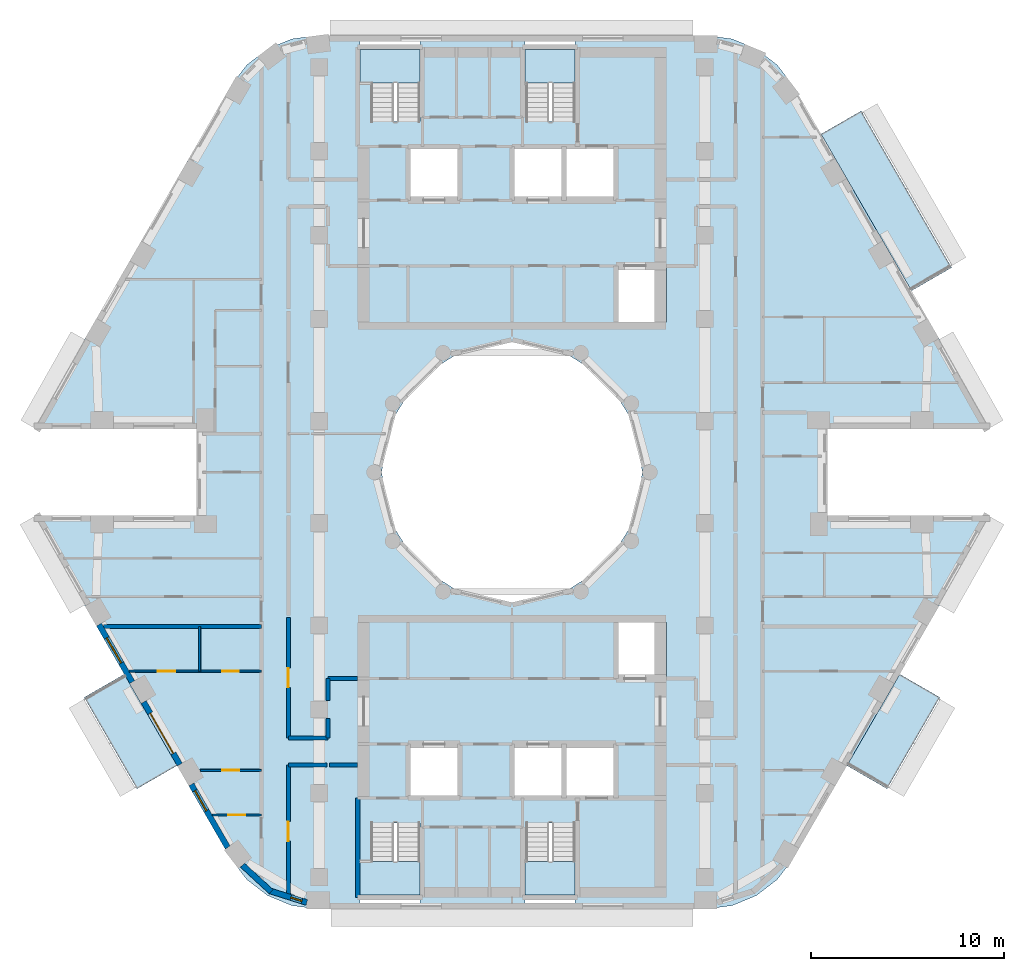
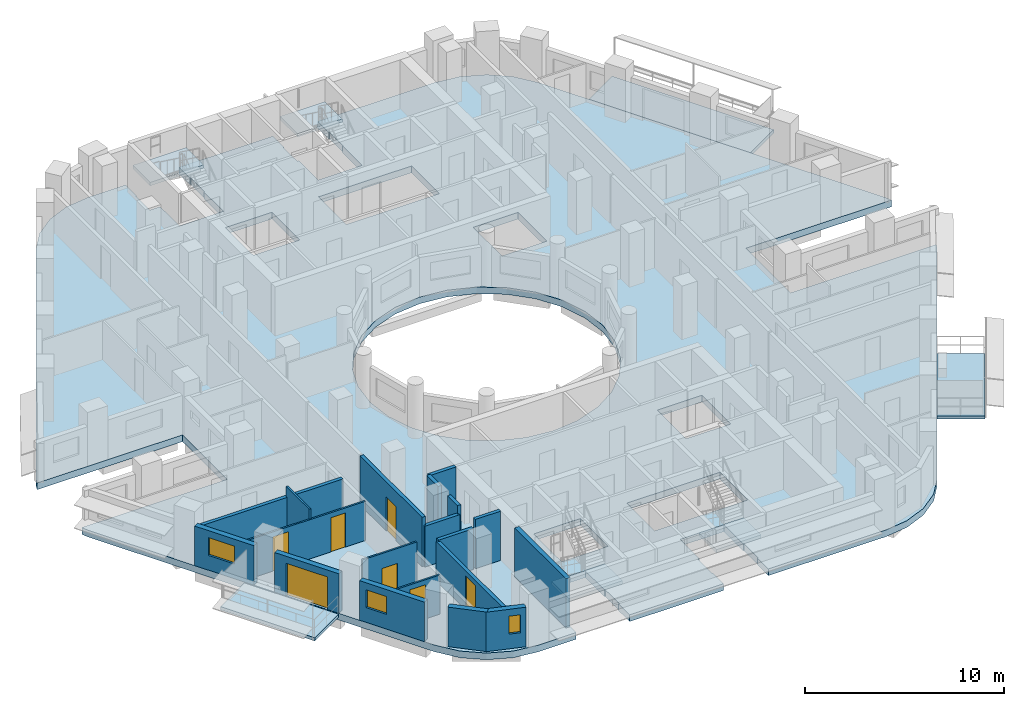
# One storey, part 2 of 18: 19 walls, 8 slabs, 7 doors, 3 windows, 10 openings, 4 elements without a shape of their own.
"""IFC4 building model written with IfcOpenShell, lengths in metres."""

from ifc_helpers import new_model, si_unit, direction, frame, frame_2d, origin, place, context, subcontext, project, spatial, polyline, rectangle, outline, extrude, material, layer, layer_set, type_object, element, fill, aggregate, save


model = new_model("IFC4")

# Units and contexts
model_context = context("Model", 3, precision=1e-05, world=origin(), true_north=direction((0.0, 1.0)))
body_context = subcontext(model_context, "Body", "Model", "MODEL_VIEW")
ifc_project = project(units=[si_unit("LENGTHUNIT", "METRE"), si_unit("AREAUNIT", "SQUARE_METRE"), si_unit("VOLUMEUNIT", "CUBIC_METRE"), si_unit("PLANEANGLEUNIT", "RADIAN"), si_unit("MASSUNIT", "GRAM", prefix="KILO")], contexts=[model_context])

# Site, building, storey
site_placement = place(None, origin())
site = spatial("IfcSite", under=ifc_project, at=site_placement, CompositionType="ELEMENT")
building_placement = place(site_placement, origin())
building = spatial("IfcBuilding", under=site, at=building_placement, Name="Nakaniwa Court", CompositionType="ELEMENT")
storey_placement = place(building_placement, frame((0.0, 0.0, 176.699951171875)))
storey = spatial("IfcBuildingStorey", under=building, at=storey_placement, Name="L45", CompositionType="ELEMENT", Elevation=176.699951171875)

# Slabs
ifc_material_1 = material(Name="Charcoal ceramic paver")
ifc_layer_1 = layer(ifc_material_1, 0.02, Name="Ceramic paver")
ifc_material_2 = material(Name="Cement sand screed")
ifc_layer_2 = layer(ifc_material_2, 0.03, Name="Falls screed")
ifc_material_3 = material(Name="Concrete C40/50", Category="concrete")
ifc_layer_3 = layer(ifc_material_3, 0.15, Name="Balcony slab")
ifc_layer_set_1 = layer_set([ifc_layer_1, ifc_layer_2, ifc_layer_3], Name="Concrete C40/50 balcony slab with ceramic paver finish")
slab_type_1 = type_object("IfcSlabType", Name="Balcony slab 200", PredefinedType="FLOOR", material=ifc_layer_set_1)
slab_1_placement = place(storey_placement, frame((0.0, 0.0, -0.25)))
element("IfcSlab", 1, at=slab_1_placement, inside=storey, type_object=slab_type_1, Name="L45 balcony 01", PredefinedType="FLOOR", context=body_context, shape_type="SweptSolid", body=[
    extrude(outline(polyline([(59.893798828125, 69.52490234375), (62.629150390625, 64.787353515625), (60.55078125, 63.58740234375), (57.815185546875, 68.324951171875), (59.893798828125, 69.52490234375)])), origin(), (0.0, 0.0, 1.0), 0.199951171875),
])
slab_2_placement = place(storey_placement, frame((0.0, 0.0, -0.25)))
element("IfcSlab", 2, at=slab_2_placement, inside=storey, type_object=slab_type_1, Name="L45 balcony 02", PredefinedType="FLOOR", context=body_context, shape_type="SweptSolid", body=[
    extrude(outline(polyline([(97.37109375, 64.787353515625), (100.106201171875, 69.52490234375), (102.184814453125, 68.324951171875), (99.449462890625, 63.58740234375), (97.37109375, 64.787353515625)])), origin(), (0.0, 0.0, 1.0), 0.199951171875),
])
slab_3_placement = place(storey_placement, frame((0.0, 0.0, -0.25)))
element("IfcSlab", 3, at=slab_3_placement, inside=storey, type_object=slab_type_1, Name="L45 balcony 03", PredefinedType="FLOOR", context=body_context, shape_type="SweptSolid", body=[
    extrude(outline(polyline([(100.71923828125, 89.41357421875), (96.02978515625, 97.53564453125), (98.108154296875, 98.735595703125), (102.797607421875, 90.613525390625), (100.71923828125, 89.41357421875)])), origin(), (0.0, 0.0, 1.0), 0.199951171875),
])
ifc_material_4 = material(Name="Concrete C80/100", Category="concrete")
ifc_layer_4 = layer(ifc_material_4, 0.409912109375)
ifc_layer_set_2 = layer_set([ifc_layer_4], Name="Concrete C80/100")
slab_type_2 = type_object("IfcSlabType", Name="Concrete C80/100 post tensioned floor slab 410", PredefinedType="FLOOR", material=ifc_layer_set_2)
slab_4_placement = place(storey_placement, frame((0.0, 0.0, -0.409912109375)))
element("IfcSlab", 4, at=slab_4_placement, inside=storey, type_object=slab_type_2, Name="FLOOR SLAB", PredefinedType="FLOOR", context=body_context, shape_type="SweptSolid", body=[
    extrude(outline(polyline([(80.675048828125, 58.4599609375), (80.635009765625, 58.4599609375), (80.635009765625, 59.864990234375), (80.72509765625, 59.864990234375), (80.72509765625, 61.81005859375), (83.27490234375, 61.81005859375), (83.27490234375, 59.864990234375), (83.31494140625, 59.864990234375), (83.31494140625, 58.4599609375), (83.27490234375, 58.4599609375), (83.27490234375, 57.35009765625), (90.07470703125, 57.35009765625), (91.420654296875, 57.527099609375), (92.6748046875, 58.046630859375), (93.751708984375, 58.873046875), (94.578125, 59.949951171875), (104.65283203125, 77.39990234375), (104.7978515625, 77.75), (96.349609375, 77.75), (96.349609375, 82.25), (104.7978515625, 82.25), (104.65283203125, 82.60009765625), (94.578125, 100.050048828125), (93.751708984375, 101.126953125), (92.6748046875, 101.953369140625), (91.420654296875, 102.472900390625), (90.07470703125, 102.64990234375), (83.27490234375, 102.64990234375), (83.27490234375, 101.5400390625), (83.31494140625, 101.5400390625), (83.31494140625, 100.135009765625), (83.27490234375, 100.135009765625), (83.27490234375, 98.18994140625), (80.72509765625, 98.18994140625), (80.72509765625, 100.135009765625), (80.635009765625, 100.135009765625), (80.635009765625, 101.5400390625), (80.675048828125, 101.5400390625), (80.675048828125, 102.64990234375), (75.22509765625, 102.64990234375), (75.22509765625, 101.5400390625), (75.264892578125, 101.5400390625), (75.264892578125, 100.135009765625), (75.22509765625, 100.135009765625), (75.22509765625, 98.18994140625), (72.675048828125, 98.18994140625), (72.675048828125, 100.135009765625), (72.0849609375, 100.135009765625), (72.0849609375, 101.5400390625), (72.125, 101.5400390625), (72.125, 102.64990234375), (69.92529296875, 102.64990234375), (68.579345703125, 102.472900390625), (67.3251953125, 101.953369140625), (66.248291015625, 101.126953125), (65.421875, 100.050048828125), (55.34716796875, 82.60009765625), (55.2021484375, 82.25), (63.650390625, 82.25), (63.650390625, 77.75), (55.2021484375, 77.75), (55.34716796875, 77.39990234375), (65.421875, 59.949951171875), (66.248291015625, 58.873046875), (67.3251953125, 58.046630859375), (68.579345703125, 57.527099609375), (69.92529296875, 57.35009765625), (72.125, 57.35009765625), (72.125, 58.4599609375), (72.0849609375, 58.4599609375), (72.0849609375, 59.864990234375), (72.675048828125, 59.864990234375), (72.675048828125, 61.81005859375), (75.22509765625, 61.81005859375), (75.22509765625, 59.864990234375), (75.264892578125, 59.864990234375), (75.264892578125, 58.4599609375), (75.22509765625, 58.4599609375), (75.22509765625, 57.35009765625), (80.675048828125, 57.35009765625), (80.675048828125, 58.4599609375)]), holes=[polyline([(81.501953125, 86.580810546875), (80.0, 86.75), (78.498046875, 86.580810546875), (77.0712890625, 86.08154296875), (75.79150390625, 85.27734375), (74.72265625, 84.20849609375), (73.91845703125, 82.9287109375), (73.419189453125, 81.501953125), (73.25, 80.0), (73.419189453125, 78.498046875), (73.91845703125, 77.0712890625), (74.72265625, 75.79150390625), (75.79150390625, 74.72265625), (77.0712890625, 73.91845703125), (78.498046875, 73.419189453125), (80.0, 73.25), (81.501953125, 73.419189453125), (82.9287109375, 73.91845703125), (84.20849609375, 74.72265625), (85.27734375, 75.79150390625), (86.08154296875, 77.0712890625), (86.580810546875, 78.498046875), (86.75, 80.0), (86.580810546875, 81.501953125), (86.08154296875, 82.9287109375), (85.27734375, 84.20849609375), (84.20849609375, 85.27734375), (82.9287109375, 86.08154296875), (81.501953125, 86.580810546875)]), polyline([(77.300048828125, 65.89990234375), (74.60009765625, 65.89990234375), (74.60009765625, 63.10009765625), (77.300048828125, 63.10009765625), (77.300048828125, 65.89990234375)]), polyline([(80.0, 65.89990234375), (80.0, 63.10009765625), (82.699951171875, 63.10009765625), (85.39990234375, 63.10009765625), (85.39990234375, 65.89990234375), (82.699951171875, 65.89990234375), (80.0, 65.89990234375)]), polyline([(77.300048828125, 96.89990234375), (74.60009765625, 96.89990234375), (74.60009765625, 94.10009765625), (77.300048828125, 94.10009765625), (77.300048828125, 96.89990234375)]), polyline([(80.0, 96.89990234375), (80.0, 94.10009765625), (82.699951171875, 94.10009765625), (85.39990234375, 94.10009765625), (85.39990234375, 96.89990234375), (82.699951171875, 96.89990234375), (80.0, 96.89990234375)]), polyline([(88.0, 72.199951171875), (85.39990234375, 72.199951171875), (85.39990234375, 69.300048828125), (88.0, 69.300048828125), (88.0, 72.199951171875)]), polyline([(88.0, 90.699951171875), (85.39990234375, 90.699951171875), (85.39990234375, 87.800048828125), (88.0, 87.800048828125), (88.0, 90.699951171875)])]), origin(), (0.0, 0.0, 1.0), 0.409912109375),
])

# Stair, slab
stair_type = type_object("IfcStairType", Name="Dog leg stair 1200 wide 18 risers", PredefinedType="HALF_TURN_STAIR", material=ifc_material_4)
stair_1_placement = place(storey_placement, origin())
stair_1 = element("IfcStair", 5, at=stair_1_placement, inside=storey, type_object=stair_type, Name="L45 Stair ST1", PredefinedType="HALF_TURN_STAIR")
ifc_layer_5 = layer(ifc_material_4, 0.199951171875)
ifc_layer_set_3 = layer_set([ifc_layer_5], Name="Concrete C80/100")
slab_type_3 = type_object("IfcSlabType", Name="Stair landing concrete", PredefinedType="LANDING", material=ifc_layer_set_3)
slab_5_placement = place(storey_placement, frame((0.0, 0.0, 1.449951171875)))
slab_5 = element("IfcSlab", 6, at=slab_5_placement, type_object=slab_type_3, Name="ST1 landing 1", PredefinedType="LANDING", context=body_context, shape_type="SweptSolid", body=[
    extrude(outline(polyline([(75.22509765625, 100.175048828125), (75.22509765625, 101.925048828125), (72.125, 101.925048828125), (72.125, 100.175048828125), (75.22509765625, 100.175048828125)])), origin(), (0.0, 0.0, 1.0), 0.2001953125),
])
aggregate(stair_1, [slab_5])

stair_2_placement = place(storey_placement, origin())
stair_2 = element("IfcStair", 7, at=stair_2_placement, inside=storey, type_object=stair_type, Name="L45 Stair ST2", PredefinedType="HALF_TURN_STAIR")
slab_6_placement = place(storey_placement, frame((0.0, 0.0, 1.449951171875)))
slab_6 = element("IfcSlab", 8, at=slab_6_placement, type_object=slab_type_3, Name="ST2 landing 1", PredefinedType="LANDING", context=body_context, shape_type="SweptSolid", body=[
    extrude(outline(polyline([(83.27490234375, 100.175048828125), (83.27490234375, 101.925048828125), (80.675048828125, 101.925048828125), (80.675048828125, 100.175048828125), (83.27490234375, 100.175048828125)])), origin(), (0.0, 0.0, 1.0), 0.2001953125),
])
aggregate(stair_2, [slab_6])

stair_3_placement = place(storey_placement, origin())
stair_3 = element("IfcStair", 9, at=stair_3_placement, inside=storey, type_object=stair_type, Name="L45 Stair ST3", PredefinedType="HALF_TURN_STAIR")
slab_7_placement = place(storey_placement, frame((0.0, 0.0, 1.449951171875)))
slab_7 = element("IfcSlab", 10, at=slab_7_placement, type_object=slab_type_3, Name="ST3 landing 1", PredefinedType="LANDING", context=body_context, shape_type="SweptSolid", body=[
    extrude(outline(polyline([(75.22509765625, 58.074951171875), (75.22509765625, 59.824951171875), (72.125, 59.824951171875), (72.125, 58.074951171875), (75.22509765625, 58.074951171875)])), origin(), (0.0, 0.0, 1.0), 0.2001953125),
])
aggregate(stair_3, [slab_7])

stair_4_placement = place(storey_placement, origin())
stair_4 = element("IfcStair", 11, at=stair_4_placement, inside=storey, type_object=stair_type, Name="L45 Stair ST4", PredefinedType="HALF_TURN_STAIR")
slab_8_placement = place(storey_placement, frame((0.0, 0.0, 1.449951171875)))
slab_8 = element("IfcSlab", 12, at=slab_8_placement, type_object=slab_type_3, Name="ST4 landing 1", PredefinedType="LANDING", context=body_context, shape_type="SweptSolid", body=[
    extrude(outline(polyline([(83.27490234375, 58.074951171875), (83.27490234375, 59.824951171875), (80.675048828125, 59.824951171875), (80.675048828125, 58.074951171875), (83.27490234375, 58.074951171875)])), origin(), (0.0, 0.0, 1.0), 0.2001953125),
])
aggregate(stair_4, [slab_8])

# Walls
ifc_material_5 = material(Name="Acoustic double stud partition")
ifc_layer_6 = layer(ifc_material_5, 0.199951171875)
ifc_layer_set_4 = layer_set([ifc_layer_6], Name="Acoustic double stud partition")
wall_type_1 = type_object("IfcWallType", Name="Acoustic double stud partition 200", PredefinedType="PARTITIONING", material=ifc_layer_set_4)
wall_1_placement = place(storey_placement, frame((68.39990234375, 64.824951171875, 0.0), z_axis=(0.0, 0.0, 1.0), x_axis=(1.0, 0.0, 0.0)))
element("IfcWall", 13, at=wall_1_placement, inside=storey, type_object=wall_type_1, Name="Partition PW-077", PredefinedType="PARTITIONING", context=body_context, shape_type="SweptSolid", body=[
    extrude(rectangle(XDim=2.012939453125, YDim=0.199951171875, at=frame_2d((1.00634765625, 0.0))), origin(), (0.0, 0.0, 1.0), 2.505126953125),
])
wall_2_placement = place(storey_placement, frame((70.527099609375, 64.824951171875, 0.0), z_axis=(0.0, 0.0, 1.0), x_axis=(1.0, 0.0, 0.0)))
element("IfcWall", 14, at=wall_2_placement, inside=storey, type_object=wall_type_1, Name="Partition PW-078", PredefinedType="PARTITIONING", context=body_context, shape_type="SweptSolid", body=[
    extrude(rectangle(XDim=1.472900390625, YDim=0.199951171875, at=frame_2d((0.736328125, 0.0))), origin(), (0.0, 0.0, 1.0), 3.025146484375),
])
wall_3_placement = place(storey_placement, frame((70.449951171875, 69.300048828125, 0.0), z_axis=(0.0, 0.0, 1.0), x_axis=(1.0, 0.0, 0.0)))
element("IfcWall", 15, at=wall_3_placement, inside=storey, type_object=wall_type_1, Name="Partition PW-082", PredefinedType="PARTITIONING", context=body_context, shape_type="SweptSolid", body=[
    extrude(rectangle(XDim=1.550048828125, YDim=0.199951171875, at=frame_2d((0.77490234375, 0.0))), origin(), (0.0, 0.0, 1.0), 3.025146484375),
])
wall_4_placement = place(storey_placement, frame((68.39990234375, 66.22509765625, 0.0), z_axis=(0.0, 0.0, 1.0), x_axis=(1.0, 0.0, 0.0)))
element("IfcWall", 16, at=wall_4_placement, inside=storey, type_object=wall_type_1, Name="Partition PW-088", PredefinedType="PARTITIONING", context=body_context, shape_type="SweptSolid", body=[
    extrude(rectangle(XDim=2.050048828125, YDim=0.199951171875, at=frame_2d((1.02490234375, 0.0))), origin(), (0.0, 0.0, 1.0), 2.505126953125),
])

# Wall, opening, door
wall_5_placement = place(storey_placement, frame((68.39990234375, 64.824951171875, 0.0), z_axis=(0.0, 0.0, 1.0), x_axis=(0.0, -1.0, 0.0)))
wall_5 = element("IfcWall", 17, at=wall_5_placement, inside=storey, type_object=wall_type_1, Name="Partition PW-098", PredefinedType="PARTITIONING", context=body_context, shape_type="SweptSolid", body=[
    extrude(rectangle(XDim=6.898681640625, YDim=0.199951171875, at=frame_2d((3.44921875, 0.0))), origin(), (0.0, 0.0, 1.0), 2.405029296875),
])
opening_1_placement = place(wall_5_placement, frame((2.949951171875, 0.0, 0.0)))
opening_1 = element("IfcOpeningElement", 18, at=opening_1_placement, cuts=wall_5, Name="Opening D-02-04", PredefinedType="OPENING", context=body_context, shape_type="SweptSolid", body=[
    extrude(rectangle(XDim=1.0, YDim=2.10009765625, at=frame_2d((0.5, 1.050048828125))), frame((0.0, 0.10986328125, 0.0), z_axis=(0.0, -1.0, 0.0), x_axis=(1.0, 0.0, 0.0)), (0.0, 0.0, 1.0), 0.219970703125),
])
ifc_material_6 = material(Name="Solid core timber door set, black veneer", Category="wood")
door_type_1 = type_object("IfcDoorType", Name="Internal door 1000", OperationType="NOTDEFINED", PredefinedType="DOOR", material=ifc_material_6)
door_1_placement = place(opening_1_placement, origin())
door_1 = element("IfcDoor", 19, at=door_1_placement, inside=storey, type_object=door_type_1, Name="Door D-02-04 L45-044", OperationType="SINGLE_SWING_LEFT", OverallHeight=2.10009765625, OverallWidth=1.0, PredefinedType="DOOR", context=body_context, shape_type="SweptSolid", body=[
    extrude(rectangle(XDim=1.0, YDim=2.10009765625, at=frame_2d((0.5, 1.050048828125))), frame((0.0, 0.02490234375, 0.0), z_axis=(0.0, -1.0, 0.0), x_axis=(1.0, 0.0, 0.0)), (0.0, 0.0, 1.0), 0.050048828125),
])
fill(opening_1, door_1)

wall_6_placement = place(storey_placement, frame((68.39990234375, 72.462890625, 0.0), z_axis=(0.0, 0.0, 1.0), x_axis=(0.0, -1.0, 0.0)))
wall_6 = element("IfcWall", 20, at=wall_6_placement, inside=storey, type_object=wall_type_1, Name="Partition PW-099", PredefinedType="PARTITIONING", context=body_context, shape_type="SweptSolid", body=[
    extrude(rectangle(XDim=6.23779296875, YDim=0.199951171875, at=frame_2d((3.118896484375, 0.0))), origin(), (0.0, 0.0, 1.0), 3.025146484375),
])
opening_2_placement = place(wall_6_placement, frame((2.6201171875, 0.0, 0.0)))
opening_2 = element("IfcOpeningElement", 21, at=opening_2_placement, cuts=wall_6, Name="Opening D-02-05", PredefinedType="OPENING", context=body_context, shape_type="SweptSolid", body=[
    extrude(rectangle(XDim=1.0, YDim=2.10009765625, at=frame_2d((0.5, 1.050048828125))), frame((0.0, 0.10986328125, 0.0), z_axis=(0.0, -1.0, 0.0), x_axis=(1.0, 0.0, 0.0)), (0.0, 0.0, 1.0), 0.219970703125),
])
door_2_placement = place(opening_2_placement, origin())
door_2 = element("IfcDoor", 22, at=door_2_placement, inside=storey, type_object=door_type_1, Name="Door D-02-05 L45-050", OperationType="SINGLE_SWING_LEFT", OverallHeight=2.10009765625, OverallWidth=1.0, PredefinedType="DOOR", context=body_context, shape_type="SweptSolid", body=[
    extrude(rectangle(XDim=1.0, YDim=2.10009765625, at=frame_2d((0.5, 1.050048828125))), frame((0.0, 0.02490234375, 0.0), z_axis=(0.0, -1.0, 0.0), x_axis=(1.0, 0.0, 0.0)), (0.0, 0.0, 1.0), 0.050048828125),
])
fill(opening_2, door_2)

# Walls
wall_7_placement = place(storey_placement, frame((70.449951171875, 66.22509765625, 0.0), z_axis=(0.0, 0.0, 1.0), x_axis=(0.0, 1.0, 0.0)))
element("IfcWall", 23, at=wall_7_placement, inside=storey, type_object=wall_type_1, Name="Partition PW-105", PredefinedType="PARTITIONING", context=body_context, shape_type="SweptSolid", body=[
    extrude(rectangle(XDim=1.0078125, YDim=0.199951171875, at=frame_2d((0.50390625, 0.0))), origin(), (0.0, 0.0, 1.0), 3.025146484375),
])
wall_8_placement = place(storey_placement, frame((70.449951171875, 68.167236328125, 0.0), z_axis=(0.0, 0.0, 1.0), x_axis=(0.0, 1.0, 0.0)))
element("IfcWall", 24, at=wall_8_placement, inside=storey, type_object=wall_type_1, Name="Partition PW-106", PredefinedType="PARTITIONING", context=body_context, shape_type="SweptSolid", body=[
    extrude(rectangle(XDim=1.1328125, YDim=0.199951171875, at=frame_2d((0.56640625, 0.0))), origin(), (0.0, 0.0, 1.0), 3.025146484375),
])
wall_9_placement = place(storey_placement, frame((58.811279296875, 72.0, 0.0), z_axis=(0.0, 0.0, 1.0), x_axis=(1.0, 0.0, 0.0)))
element("IfcWall", 25, at=wall_9_placement, inside=storey, type_object=wall_type_1, Name="Partition PW-119", PredefinedType="PARTITIONING", context=body_context, shape_type="SweptSolid", body=[
    extrude(rectangle(XDim=8.187744140625, YDim=0.199951171875, at=frame_2d((4.09375, 0.0))), origin(), (0.0, 0.0, 1.0), 2.405029296875),
])

# Wall, opening, window
ifc_material_7 = material(Name="Charcoal ceramic cladding")
ifc_layer_7 = layer(ifc_material_7, 0.02, Name="Ceramic cladding")
ifc_material_8 = material(Name="Ventilated air cavity")
ifc_layer_8 = layer(ifc_material_8, 0.04, ventilated=True, Name="Ventilated cavity")
ifc_material_9 = material(Name="Mineral wool insulation")
ifc_layer_9 = layer(ifc_material_9, 0.1, Name="Insulation")
ifc_material_10 = material(Name="Cement bonded sheathing board")
ifc_layer_10 = layer(ifc_material_10, 0.012, Name="Sheathing")
ifc_material_11 = material(Name="Cold-formed galvanised stud frame with mineral wool infill")
ifc_layer_11 = layer(ifc_material_11, 0.1, Name="Stud frame")
ifc_material_12 = material(Name="Fire-rated gypsum plasterboard lining")
ifc_layer_12 = layer(ifc_material_12, 0.028, Name="Lining")
ifc_layer_set_5 = layer_set([ifc_layer_7, ifc_layer_8, ifc_layer_9, ifc_layer_10, ifc_layer_11, ifc_layer_12], Name="Charcoal ceramic faced external wall system")
wall_type_2 = type_object("IfcWallType", Name="Black ceramic faced external wall 300", PredefinedType="SOLIDWALL", material=ifc_layer_set_5)
wall_10_placement = place(storey_placement, frame((58.579345703125, 72.101806640625, 0.0), z_axis=(0.0, 0.0, 1.0), x_axis=(0.499955427682, -0.866051136095, 0.0)))
wall_10 = element("IfcWall", 26, at=wall_10_placement, inside=storey, type_object=wall_type_2, Name="L45 external wall 21", PredefinedType="SOLIDWALL", context=body_context, shape_type="SweptSolid", body=[
    extrude(rectangle(XDim=3.447021484375, YDim=0.300048828125, at=frame_2d((1.7236328125, 0.0))), origin(), (0.0, 0.0, 1.0), 2.425048828125),
])
opening_3_placement = place(wall_10_placement, frame((0.80224609375, 0.0, 0.89990234375)))
opening_3 = element("IfcOpeningElement", 27, at=opening_3_placement, cuts=wall_10, Name="Opening W5.23", PredefinedType="OPENING", context=body_context, shape_type="SweptSolid", body=[
    extrude(rectangle(XDim=1.5, YDim=1.10009765625, at=frame_2d((0.75, 0.550048828125))), frame((0.0, 0.159912109375, 0.0), z_axis=(0.0, -1.0, 0.0), x_axis=(1.0, 0.0, 0.0)), (0.0, 0.0, 1.0), 0.320068359375),
])
ifc_material_13 = material(Name="Black anodised aluminium frame with dark low-E laminated double glazing", Category="aluminium")
window_type_1 = type_object("IfcWindowType", Name="Dark glass window 1500x1100 sill 900", PartitioningType="SINGLE_PANEL", PredefinedType="WINDOW", material=ifc_material_13)
window_1_placement = place(opening_3_placement, origin())
window_1 = element("IfcWindow", 28, at=window_1_placement, inside=storey, type_object=window_type_1, Name="L45 habitable room window 21-1", OverallHeight=1.10009765625, OverallWidth=1.5, PartitioningType="SINGLE_PANEL", PredefinedType="WINDOW", context=body_context, shape_type="SweptSolid", body=[
    extrude(rectangle(XDim=1.5, YDim=1.10009765625, at=frame_2d((0.75, 0.550048828125))), frame((0.0, 0.030029296875, 0.0), z_axis=(0.0, -1.0, 0.0), x_axis=(1.0, 0.0, 0.0)), (0.0, 0.0, 1.0), 0.06005859375),
])
fill(opening_3, window_1)

# Wall, opening, door
wall_11_placement = place(storey_placement, frame((60.898681640625, 68.083984375, 0.0), z_axis=(0.0, 0.0, 1.0), x_axis=(0.500059225181, -0.86599120741, 0.0)))
wall_11 = element("IfcWall", 29, at=wall_11_placement, inside=storey, type_object=wall_type_2, Name="L45 external wall 22", PredefinedType="SOLIDWALL", context=body_context, shape_type="SweptSolid", body=[
    extrude(rectangle(XDim=3.744140625, YDim=0.300048828125, at=frame_2d((1.8720703125, 0.0))), origin(), (0.0, 0.0, 1.0), 2.425048828125),
])
opening_4_placement = place(wall_11_placement, frame((0.672119140625, 0.0, 0.0)))
opening_4 = element("IfcOpeningElement", 30, at=opening_4_placement, cuts=wall_11, Name="Opening XD13.02", PredefinedType="OPENING", context=body_context, shape_type="SweptSolid", body=[
    extrude(rectangle(XDim=2.39990234375, YDim=2.0, at=frame_2d((1.199951171875, 1.0))), frame((0.0, 0.159912109375, 0.0), z_axis=(0.0, -1.0, 0.0), x_axis=(1.0, 0.0, 0.0)), (0.0, 0.0, 1.0), 0.320068359375),
])
ifc_material_14 = material(Name="Black powder-coated aluminium frame with dark laminated glass", Category="aluminium")
door_type_2 = type_object("IfcDoorType", Name="Balcony sliding door 2400x2000", OperationType="DOUBLE_DOOR_SLIDING", PredefinedType="DOOR", material=ifc_material_14)
door_3_placement = place(opening_4_placement, origin())
door_3 = element("IfcDoor", 31, at=door_3_placement, inside=storey, type_object=door_type_2, Name="L45 balcony sliding door 01", OperationType="DOUBLE_DOOR_SLIDING", OverallHeight=2.0, OverallWidth=2.39990234375, PredefinedType="DOOR", context=body_context, shape_type="SweptSolid", body=[
    extrude(rectangle(XDim=2.39990234375, YDim=2.0, at=frame_2d((1.199951171875, 1.0))), frame((0.0, 0.02490234375, 0.0), z_axis=(0.0, -1.0, 0.0), x_axis=(1.0, 0.0, 0.0)), (0.0, 0.0, 1.0), 0.050048828125),
])
fill(opening_4, door_3)

# Wall, opening, window
wall_12_placement = place(storey_placement, frame((63.366943359375, 63.809326171875, 0.0), z_axis=(0.0, 0.0, 1.0), x_axis=(0.499961087031, -0.866047869032, 0.0)))
wall_12 = element("IfcWall", 32, at=wall_12_placement, inside=storey, type_object=wall_type_2, Name="L45 external wall 23", PredefinedType="SOLIDWALL", context=body_context, shape_type="SweptSolid", body=[
    extrude(rectangle(XDim=3.778564453125, YDim=0.300048828125, at=frame_2d((1.88916015625, 0.0))), origin(), (0.0, 0.0, 1.0), 2.425048828125),
])
opening_5_placement = place(wall_12_placement, frame((0.375732421875, 0.0, 0.89990234375)))
opening_5 = element("IfcOpeningElement", 33, at=opening_5_placement, cuts=wall_12, Name="Opening W6.24", PredefinedType="OPENING", context=body_context, shape_type="SweptSolid", body=[
    extrude(rectangle(XDim=1.199951171875, YDim=1.10009765625, at=frame_2d((0.60009765625, 0.550048828125))), frame((0.0, 0.159912109375, 0.0), z_axis=(0.0, -1.0, 0.0), x_axis=(1.0, 0.0, 0.0)), (0.0, 0.0, 1.0), 0.320068359375),
])
window_type_2 = type_object("IfcWindowType", Name="Dark glass window 1200x1100 sill 900", PartitioningType="SINGLE_PANEL", PredefinedType="WINDOW", material=ifc_material_13)
window_2_placement = place(opening_5_placement, origin())
window_2 = element("IfcWindow", 34, at=window_2_placement, inside=storey, type_object=window_type_2, Name="L45 habitable room window 23-0", OverallHeight=1.10009765625, OverallWidth=1.199951171875, PartitioningType="SINGLE_PANEL", PredefinedType="WINDOW", context=body_context, shape_type="SweptSolid", body=[
    extrude(rectangle(XDim=1.199951171875, YDim=1.10009765625, at=frame_2d((0.60009765625, 0.550048828125))), frame((0.0, 0.030029296875, 0.0), z_axis=(0.0, -1.0, 0.0), x_axis=(1.0, 0.0, 0.0)), (0.0, 0.0, 1.0), 0.06005859375),
])
fill(opening_5, window_2)

# Wall
wall_13_placement = place(storey_placement, frame((66.0224609375, 59.622314453125, 0.0), z_axis=(0.0, 0.0, 1.0), x_axis=(0.734627852992, -0.678470277616, 0.0)))
element("IfcWall", 35, at=wall_13_placement, inside=storey, type_object=wall_type_2, Name="L45 external wall 24", PredefinedType="SOLIDWALL", context=body_context, shape_type="SweptSolid", body=[
    extrude(rectangle(XDim=2.02587890625, YDim=0.300048828125, at=frame_2d((1.012939453125, 0.0))), origin(), (0.0, 0.0, 1.0), 2.425048828125),
])

# Wall, opening, window
wall_14_placement = place(storey_placement, frame((67.40576171875, 58.3017578125, 0.0), z_axis=(0.0, 0.0, 1.0), x_axis=(0.953537608367, -0.301274010545, 0.0)))
wall_14 = element("IfcWall", 36, at=wall_14_placement, inside=storey, type_object=wall_type_2, Name="L45 external wall 25", PredefinedType="SOLIDWALL", context=body_context, shape_type="SweptSolid", body=[
    extrude(rectangle(XDim=2.0478515625, YDim=0.300048828125, at=frame_2d((1.02392578125, 0.0))), origin(), (0.0, 0.0, 1.0), 2.425048828125),
])
opening_6_placement = place(wall_14_placement, frame((1.1796875, 0.0, 0.89990234375)))
opening_6 = element("IfcOpeningElement", 37, at=opening_6_placement, cuts=wall_14, Name="Opening W8.25", PredefinedType="OPENING", context=body_context, shape_type="SweptSolid", body=[
    extrude(rectangle(XDim=0.60009765625, YDim=1.10009765625, at=frame_2d((0.300048828125, 0.550048828125))), frame((0.0, 0.159912109375, 0.0), z_axis=(0.0, -1.0, 0.0), x_axis=(1.0, 0.0, 0.0)), (0.0, 0.0, 1.0), 0.320068359375),
])
window_type_3 = type_object("IfcWindowType", Name="Dark glass window 600x1100 sill 900", PartitioningType="SINGLE_PANEL", PredefinedType="WINDOW", material=ifc_material_13)
window_3_placement = place(opening_6_placement, origin())
window_3 = element("IfcWindow", 38, at=window_3_placement, inside=storey, type_object=window_type_3, Name="L45 habitable room window 25-1", OverallHeight=1.10009765625, OverallWidth=0.60009765625, PartitioningType="SINGLE_PANEL", PredefinedType="WINDOW", context=body_context, shape_type="SweptSolid", body=[
    extrude(rectangle(XDim=0.60009765625, YDim=1.10009765625, at=frame_2d((0.300048828125, 0.550048828125))), frame((0.0, 0.030029296875, 0.0), z_axis=(0.0, -1.0, 0.0), x_axis=(1.0, 0.0, 0.0)), (0.0, 0.0, 1.0), 0.06005859375),
])
fill(opening_6, window_3)

# Wall
ifc_layer_13 = layer(ifc_material_4, 0.25)
ifc_layer_set_6 = layer_set([ifc_layer_13], Name="Concrete C80/100")
wall_type_3 = type_object("IfcWallType", Name="Concrete core wall 250 C80", PredefinedType="SHEAR", material=ifc_layer_set_6)
wall_15_placement = place(storey_placement, frame((72.0, 57.949951171875, -0.409912109375), z_axis=(0.0, 0.0, 1.0), x_axis=(0.0, 1.0, 0.0)))
element("IfcWall", 39, at=wall_15_placement, inside=storey, type_object=wall_type_3, Name="Core wall SW-60", PredefinedType="SHEAR", context=body_context, shape_type="SweptSolid", body=[
    extrude(rectangle(XDim=5.150146484375, YDim=0.25, at=frame_2d((2.5751953125, 0.0))), origin(), (0.0, 0.0, 1.0), 3.43505859375),
])

# Wall, opening, door
ifc_material_15 = material(Name="Single stud plasterboard partition")
ifc_layer_14 = layer(ifc_material_15, 0.10009765625)
ifc_layer_set_7 = layer_set([ifc_layer_14], Name="Single stud plasterboard partition")
wall_type_4 = type_object("IfcWallType", Name="Single stud plasterboard partition 100", PredefinedType="PARTITIONING", material=ifc_layer_set_7)
wall_16_placement = place(storey_placement, frame((64.454833984375, 62.22509765625, 0.0), z_axis=(0.0, 0.0, 1.0), x_axis=(1.0, 0.0, 0.0)))
wall_16 = element("IfcWall", 40, at=wall_16_placement, inside=storey, type_object=wall_type_4, Name="Partition PW-113", PredefinedType="PARTITIONING", context=body_context, shape_type="SweptSolid", body=[
    extrude(rectangle(XDim=2.544189453125, YDim=0.10009765625, at=frame_2d((1.27197265625, 0.0))), origin(), (0.0, 0.0, 1.0), 2.405029296875),
])
opening_7_placement = place(wall_16_placement, frame((0.822021484375, 0.0, 0.0)))
opening_7 = element("IfcOpeningElement", 41, at=opening_7_placement, cuts=wall_16, Name="Opening D-33-09", PredefinedType="OPENING", context=body_context, shape_type="SweptSolid", body=[
    extrude(rectangle(XDim=0.89990234375, YDim=2.10009765625, at=frame_2d((0.449951171875, 1.050048828125))), frame((0.0, 0.06005859375, 0.0), z_axis=(0.0, -1.0, 0.0), x_axis=(1.0, 0.0, 0.0)), (0.0, 0.0, 1.0), 0.1201171875),
])
door_type_3 = type_object("IfcDoorType", Name="Internal door 900", OperationType="NOTDEFINED", PredefinedType="DOOR", material=ifc_material_6)
door_4_placement = place(opening_7_placement, origin())
door_4 = element("IfcDoor", 42, at=door_4_placement, inside=storey, type_object=door_type_3, Name="Door D-33-09 L45-046", OperationType="SINGLE_SWING_LEFT", OverallHeight=2.10009765625, OverallWidth=0.89990234375, PredefinedType="DOOR", context=body_context, shape_type="SweptSolid", body=[
    extrude(rectangle(XDim=0.89990234375, YDim=2.10009765625, at=frame_2d((0.449951171875, 1.050048828125))), frame((0.0, 0.02490234375, 0.0), z_axis=(0.0, -1.0, 0.0), x_axis=(1.0, 0.0, 0.0)), (0.0, 0.0, 1.0), 0.050048828125),
])
fill(opening_7, door_4)

wall_17_placement = place(storey_placement, frame((63.833984375, 64.5400390625, 0.0), z_axis=(0.0, 0.0, 1.0), x_axis=(1.0, 0.0, 0.0)))
wall_17 = element("IfcWall", 43, at=wall_17_placement, inside=storey, type_object=wall_type_4, Name="Partition PW-115", PredefinedType="PARTITIONING", context=body_context, shape_type="SweptSolid", body=[
    extrude(rectangle(XDim=3.1650390625, YDim=0.10009765625, at=frame_2d((1.58251953125, 0.0))), origin(), (0.0, 0.0, 1.0), 3.025146484375),
])
opening_8_placement = place(wall_17_placement, frame((1.132080078125, 0.0, 0.0)))
opening_8 = element("IfcOpeningElement", 44, at=opening_8_placement, cuts=wall_17, Name="Opening D-33-10", PredefinedType="OPENING", context=body_context, shape_type="SweptSolid", body=[
    extrude(rectangle(XDim=0.89990234375, YDim=2.10009765625, at=frame_2d((0.449951171875, 1.050048828125))), frame((0.0, 0.06005859375, 0.0), z_axis=(0.0, -1.0, 0.0), x_axis=(1.0, 0.0, 0.0)), (0.0, 0.0, 1.0), 0.1201171875),
])
door_5_placement = place(opening_8_placement, origin())
door_5 = element("IfcDoor", 45, at=door_5_placement, inside=storey, type_object=door_type_3, Name="Door D-33-10 L45-047", OperationType="SINGLE_SWING_RIGHT", OverallHeight=2.10009765625, OverallWidth=0.89990234375, PredefinedType="DOOR", context=body_context, shape_type="SweptSolid", body=[
    extrude(rectangle(XDim=0.89990234375, YDim=2.10009765625, at=frame_2d((0.449951171875, 1.050048828125))), frame((0.0, 0.02490234375, 0.0), z_axis=(0.0, -1.0, 0.0), x_axis=(1.0, 0.0, 0.0)), (0.0, 0.0, 1.0), 0.050048828125),
])
fill(opening_8, door_5)

# Wall, openings, doors
wall_18_placement = place(storey_placement, frame((60.147705078125, 69.68505859375, 0.0), z_axis=(0.0, 0.0, 1.0), x_axis=(1.0, 0.0, 0.0)))
wall_18 = element("IfcWall", 46, at=wall_18_placement, inside=storey, type_object=wall_type_4, Name="Partition PW-117", PredefinedType="PARTITIONING", context=body_context, shape_type="SweptSolid", body=[
    extrude(rectangle(XDim=6.851318359375, YDim=0.10009765625, at=frame_2d((3.42578125, 0.0))), origin(), (0.0, 0.0, 1.0), 2.405029296875),
])
opening_9_placement = place(wall_18_placement, frame((4.825927734375, 0.0, 0.0)))
opening_9 = element("IfcOpeningElement", 47, at=opening_9_placement, cuts=wall_18, Name="Opening D-03-04", PredefinedType="OPENING", context=body_context, shape_type="SweptSolid", body=[
    extrude(rectangle(XDim=0.85009765625, YDim=2.10009765625, at=frame_2d((0.425048828125, 1.050048828125))), frame((0.0, 0.06005859375, 0.0), z_axis=(0.0, -1.0, 0.0), x_axis=(1.0, 0.0, 0.0)), (0.0, 0.0, 1.0), 0.1201171875),
])
opening_10_placement = place(wall_18_placement, frame((1.47607421875, 0.0, 0.0)))
opening_10 = element("IfcOpeningElement", 48, at=opening_10_placement, cuts=wall_18, Name="Opening D-33-11", PredefinedType="OPENING", context=body_context, shape_type="SweptSolid", body=[
    extrude(rectangle(XDim=0.89990234375, YDim=2.10009765625, at=frame_2d((0.449951171875, 1.050048828125))), frame((0.0, 0.06005859375, 0.0), z_axis=(0.0, -1.0, 0.0), x_axis=(1.0, 0.0, 0.0)), (0.0, 0.0, 1.0), 0.1201171875),
])
ifc_material_16 = material(Name="Moisture sealed timber door set", Category="wood")
door_type_4 = type_object("IfcDoorType", Name="Bathroom door 850", OperationType="NOTDEFINED", PredefinedType="DOOR", material=ifc_material_16)
door_6_placement = place(opening_9_placement, origin())
door_6 = element("IfcDoor", 49, at=door_6_placement, inside=storey, type_object=door_type_4, Name="Door D-03-04 L45-048", OperationType="SINGLE_SWING_LEFT", OverallHeight=2.10009765625, OverallWidth=0.85009765625, PredefinedType="DOOR", context=body_context, shape_type="SweptSolid", body=[
    extrude(rectangle(XDim=0.85009765625, YDim=2.10009765625, at=frame_2d((0.425048828125, 1.050048828125))), frame((0.0, 0.02490234375, 0.0), z_axis=(0.0, -1.0, 0.0), x_axis=(1.0, 0.0, 0.0)), (0.0, 0.0, 1.0), 0.050048828125),
])
fill(opening_9, door_6)
door_7_placement = place(opening_10_placement, origin())
door_7 = element("IfcDoor", 50, at=door_7_placement, inside=storey, type_object=door_type_3, Name="Door D-33-11 L45-049", OperationType="SINGLE_SWING_RIGHT", OverallHeight=2.10009765625, OverallWidth=0.89990234375, PredefinedType="DOOR", context=body_context, shape_type="SweptSolid", body=[
    extrude(rectangle(XDim=0.89990234375, YDim=2.10009765625, at=frame_2d((0.449951171875, 1.050048828125))), frame((0.0, 0.02490234375, 0.0), z_axis=(0.0, -1.0, 0.0), x_axis=(1.0, 0.0, 0.0)), (0.0, 0.0, 1.0), 0.050048828125),
])
fill(opening_10, door_7)

# Wall
wall_19_placement = place(storey_placement, frame((63.799072265625, 69.684814453125, 0.0), z_axis=(0.0, 0.0, 1.0), x_axis=(0.0, 1.0, 0.0)))
element("IfcWall", 51, at=wall_19_placement, inside=storey, type_object=wall_type_4, Name="Partition PW-133", PredefinedType="PARTITIONING", context=body_context, shape_type="SweptSolid", body=[
    extrude(rectangle(XDim=2.315185546875, YDim=0.10009765625, at=frame_2d((1.15771484375, 0.0))), origin(), (0.0, 0.0, 1.0), 3.025146484375),
])

save(model, "model.ifc")
